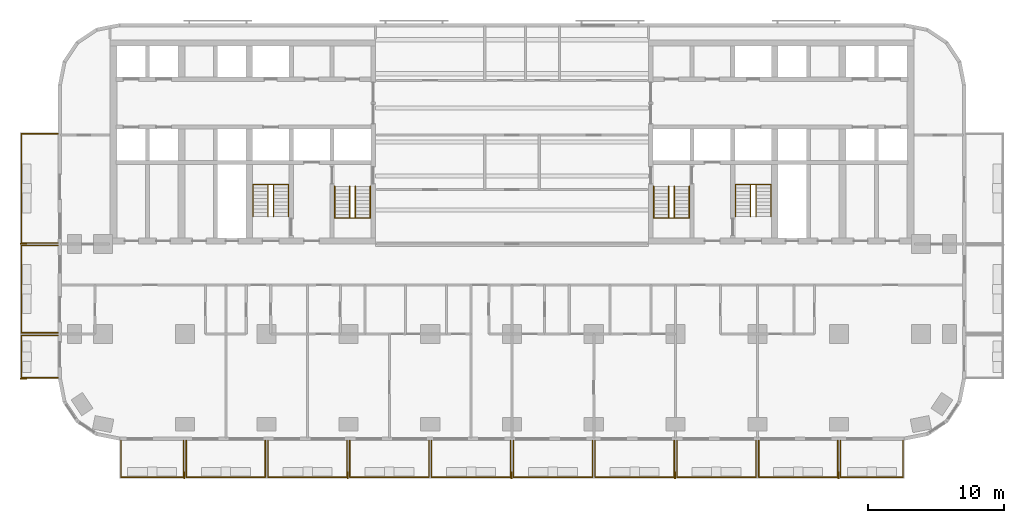
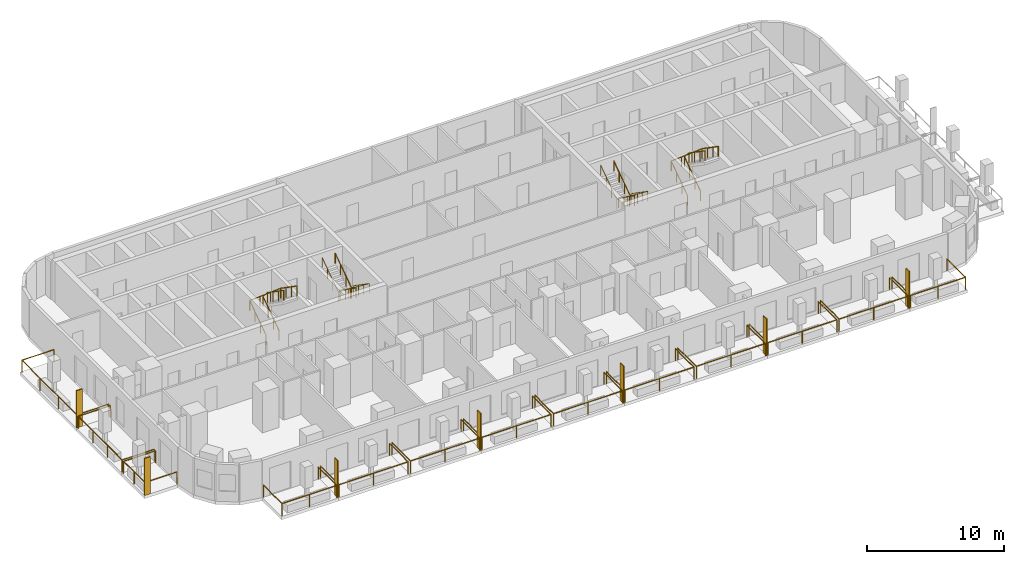
# One storey, part 12 of 14: 21 railings, 7 shading devices.
"""IFC4 building model written with IfcOpenShell, lengths in metres."""

import ifcopenshell
import ifcopenshell.guid

model = None  # the IFC model being written
_history = None  # IfcOwnerHistory: only IFC2X3 demands one
_inside = {}  # id of a spatial element -> (the spatial element, [elements in it])
_under = {}  # id of a project, library or spatial element -> (it, [spatial elements below it])
_declared = {}  # id of a project -> (the project, [libraries it declares])
_typed = {}  # id of a type object -> (the type object, [elements of that type])
_made_of = {}  # id of a material, layer set ... -> (it, [elements and type objects made of it])


def new_model(schema):
    """Start an empty IFC model of exactly this schema.

    Asked for "IFC4X3", IfcOpenShell would pick the latest addendum, in which some entities
    have other attributes; the version numbers below select the first issue.
    IFC2X3 requires an IfcOwnerHistory on every rooted entity: one is made here for all.
    """
    global model, _history
    if schema == "IFC4X3":
        model = ifcopenshell.file(schema_version=(4, 3, 0, 0))
    else:
        model = ifcopenshell.file(schema=schema)
    _inside.clear()
    _under.clear()
    _declared.clear()
    _typed.clear()
    _made_of.clear()
    _history = None
    if model.schema == "IFC2X3":
        org = make("IfcOrganization", Name="unknown")
        user = make(
            "IfcPersonAndOrganization",
            ThePerson=make("IfcPerson", FamilyName="unknown"),
            TheOrganization=org,
        )
        app = make(
            "IfcApplication",
            ApplicationDeveloper=org,
            Version="unknown",
            ApplicationFullName="unknown",
            ApplicationIdentifier="unknown",
        )
        _history = make(
            "IfcOwnerHistory",
            OwningUser=user,
            OwningApplication=app,
            ChangeAction="ADDED",
            CreationDate=0,
        )
    return model


def make(cls, **values):
    """One entity of the class cls with the attributes given. An attribute that is None is left unset."""
    return model.create_entity(
        cls, **{name: value for name, value in values.items() if value is not None}
    )


def rooted(cls, **values):
    """An entity with a GlobalId (a new one), such as an element, a storey or a relation."""
    return make(cls, GlobalId=ifcopenshell.guid.new(), OwnerHistory=_history, **values)


def si_unit(unit_type, name, prefix=None):
    """IfcSIUnit, for example si_unit("LENGTHUNIT", "METRE", prefix="MILLI")."""
    return make("IfcSIUnit", UnitType=unit_type, Prefix=prefix, Name=name)


def assignment(units):
    """IfcUnitAssignment: the units of a project."""
    return None if units is None else make("IfcUnitAssignment", Units=units)


def point(xyz):
    """IfcCartesianPoint."""
    return None if xyz is None else make("IfcCartesianPoint", Coordinates=xyz)


def direction(xyz):
    """IfcDirection."""
    return None if xyz is None else make("IfcDirection", DirectionRatios=xyz)


def frame(location, z_axis=None, x_axis=None):
    """IfcAxis2Placement3D, a coordinate frame: its origin and axes. An axis left out is left unset."""
    return make(
        "IfcAxis2Placement3D",
        Location=point(location),
        Axis=direction(z_axis),
        RefDirection=direction(x_axis),
    )


def frame_2d(location, x_axis=None):
    """IfcAxis2Placement2D, a coordinate frame in the plane: its origin and x axis."""
    return make(
        "IfcAxis2Placement2D", Location=point(location), RefDirection=direction(x_axis)
    )


def origin():
    """The frame at (0, 0, 0) with its axes left unset."""
    return frame((0.0, 0.0, 0.0))


def origin_2d():
    """The frame at (0, 0) in the plane with its x axis left unset."""
    return frame_2d((0.0, 0.0))


def place(relative_to, where):
    """IfcLocalPlacement: puts the frame where relative to a parent placement (None: the world)."""
    return make(
        "IfcLocalPlacement", PlacementRelTo=relative_to, RelativePlacement=where
    )


def context(
    kind, dimensions, precision=None, world=None, true_north=None, identifier=None
):
    """IfcGeometricRepresentationContext, for example the 3D "Model" context."""
    return make(
        "IfcGeometricRepresentationContext",
        ContextIdentifier=identifier,
        ContextType=kind,
        CoordinateSpaceDimension=dimensions,
        Precision=precision,
        WorldCoordinateSystem=world,
        TrueNorth=true_north,
    )


def subcontext(parent, identifier, kind, view, scale=None):
    """IfcGeometricRepresentationSubContext, for example "Body" below "Model"."""
    return make(
        "IfcGeometricRepresentationSubContext",
        ContextIdentifier=identifier,
        ContextType=kind,
        ParentContext=parent,
        TargetScale=scale,
        TargetView=view,
    )


def project(units=None, contexts=None):
    """IfcProject with its units and contexts."""
    return rooted(
        "IfcProject",
        Name="project",
        RepresentationContexts=contexts,
        UnitsInContext=assignment(units),
    )


def spatial(cls, under=None, at=None, **own):
    """A site, building, storey or space (cls), placed at a placement, below another one or the project."""
    s = rooted(cls, ObjectPlacement=at, **own)
    if under is not None:
        _under.setdefault(under.id(), (under, []))[1].append(s)
    return s


def profile(cls, at=None, kind="AREA", **sizes):
    """A parametric profile (cls). Its sizes go by their IFC names, for example OverallWidth=200.0."""
    return make(cls, ProfileType=kind, Position=at, **sizes)


def rectangle(**sizes):
    """IfcRectangleProfileDef."""
    return profile("IfcRectangleProfileDef", **sizes)


def circle(**sizes):
    """IfcCircleProfileDef."""
    return profile("IfcCircleProfileDef", **sizes)


def extrude(swept, where, along, depth):
    """IfcExtrudedAreaSolid: the profile swept, set in the frame where, extruded along a direction by depth."""
    return make(
        "IfcExtrudedAreaSolid",
        SweptArea=swept,
        Position=where,
        ExtrudedDirection=direction(along),
        Depth=depth,
    )


def shape(context_of_items, identifier, shape_type, items):
    """IfcShapeRepresentation: the items that make up one representation, for example the "Body"."""
    return make(
        "IfcShapeRepresentation",
        ContextOfItems=context_of_items,
        RepresentationIdentifier=identifier,
        RepresentationType=shape_type,
        Items=items,
    )


def material(Name=None, Category=None):
    """IfcMaterial."""
    return make("IfcMaterial", Name=Name, Category=Category)


def layer(
    of_material, thickness, ventilated=None, Name=None, Category=None, Priority=None
):
    """IfcMaterialLayer: one layer of a wall or slab, of a material (None: an air gap)."""
    return make(
        "IfcMaterialLayer",
        Material=of_material,
        LayerThickness=thickness,
        IsVentilated=ventilated,
        Name=Name,
        Category=Category,
        Priority=Priority,
    )


def layer_set(layers, Name=None):
    """IfcMaterialLayerSet."""
    return make("IfcMaterialLayerSet", MaterialLayers=layers, LayerSetName=Name)


def made_of(thing, what):
    """Note that an element or type object is made of a material, layer set ...; save() writes the relation."""
    if what is not None:
        _made_of.setdefault(what.id(), (what, []))[1].append(thing)
    return thing


def type_object(cls, material=None, **own):
    """A type object (cls), such as IfcWallType, which elements share."""
    return made_of(rooted(cls, **own), material)


def element(
    cls,
    number,
    at=None,
    inside=None,
    cuts=None,
    type_object=None,
    material=None,
    context=None,
    identifier="Body",
    shape_type=None,
    held_by="IfcProductDefinitionShape",
    body=None,
    shapes=None,
    **own,
):
    """One element of the class cls, such as IfcWall. Its Tag is "e" and its number.

    at: its placement. inside: the storey or other place that contains it. cuts: it is an
    opening in that element (IfcRelVoidsElement). A single representation is given by context,
    identifier, shape_type and body (its items); several are given by shapes. held_by: the class
    of the entity that holds the representations. save() writes the other relations.
    """
    e = rooted(cls, Tag="e%d" % number, ObjectPlacement=at, **own)
    if body is not None:
        shapes = [shape(context, identifier, shape_type, body)]
    if shapes is not None:
        e.Representation = make(held_by, Representations=shapes)
    if inside is not None:
        _inside.setdefault(inside.id(), (inside, []))[1].append(e)
    if cuts is not None:
        rooted(
            "IfcRelVoidsElement", RelatingBuildingElement=cuts, RelatedOpeningElement=e
        )
    if type_object is not None:
        _typed.setdefault(type_object.id(), (type_object, []))[1].append(e)
    return made_of(e, material)


def aggregate(whole, parts):
    """IfcRelAggregates: a whole, such as a stair, and the parts it consists of."""
    return rooted("IfcRelAggregates", RelatingObject=whole, RelatedObjects=parts)


def save(model, path):
    """Write the relations noted so far, then the file.

    IfcRelAggregates (storeys below a building ...), IfcRelContainedInSpatialStructure (elements
    in a storey), IfcRelDefinesByType, IfcRelAssociatesMaterial and IfcRelDeclares: one each for
    every whole, place, type object, material and project.
    """
    for whole, parts in _under.values():
        aggregate(whole, parts)
    for where, things in _inside.values():
        rooted(
            "IfcRelContainedInSpatialStructure",
            RelatedElements=things,
            RelatingStructure=where,
        )
    for kind, things in _typed.values():
        rooted("IfcRelDefinesByType", RelatedObjects=things, RelatingType=kind)
    for what, things in _made_of.values():
        rooted("IfcRelAssociatesMaterial", RelatedObjects=things, RelatingMaterial=what)
    for by, libraries in _declared.values():
        rooted("IfcRelDeclares", RelatingContext=by, RelatedDefinitions=libraries)
    model.write(path)


model = new_model("IFC4")

# Units and contexts
model_context = context("Model", 3, precision=1e-05, world=origin(), true_north=direction((0.0, 1.0)))
body_context = subcontext(model_context, "Body", "Model", "MODEL_VIEW")
ifc_project = project(units=[si_unit("LENGTHUNIT", "METRE"), si_unit("AREAUNIT", "SQUARE_METRE"), si_unit("VOLUMEUNIT", "CUBIC_METRE"), si_unit("PLANEANGLEUNIT", "RADIAN"), si_unit("MASSUNIT", "GRAM", prefix="KILO")], contexts=[model_context])

# Site, building, storey
site_placement = place(None, origin())
site = spatial("IfcSite", under=ifc_project, at=site_placement, CompositionType="ELEMENT")
building_placement = place(site_placement, origin())
building = spatial("IfcBuilding", under=site, at=building_placement, Name="Torana Hotel and Residences", CompositionType="ELEMENT")
storey_placement = place(building_placement, frame((0.0, 0.0, 103.199951171875)))
storey = spatial("IfcBuildingStorey", under=building, at=storey_placement, Name="L26", CompositionType="ELEMENT", Elevation=103.199951171875)

# Shading devices
ifc_material_1 = material(Name="Black powder coated aluminium", Category="aluminium")
ifc_layer = layer(ifc_material_1, 0.080078125)
ifc_layer_set = layer_set([ifc_layer], Name="FN1 VERTICAL FIN 500x80")
shading_device_type = type_object("IfcShadingDeviceType", Name="FN1 VERTICAL FIN 500x80", PredefinedType="USERDEFINED", material=ifc_layer_set)
for number, where, z_axis, x_axis, name in (
    (1, (-24.0400390625, -31.949951171875, 0.0), (0.0, 0.0, 1.0), (-1.0, 0.0, 0.0), "Fin 01"),
    (2, (-12.0400390625, -31.949951171875, 0.0), (0.0, 0.0, 1.0), (-1.0, 0.0, 0.0), "Fin 03"),
    (3, (-0.0400390625, -31.949951171875, 0.0), (0.0, 0.0, 1.0), (-1.0, 0.0, 0.0), "Fin 05"),
    (4, (11.9599609375, -31.949951171875, 0.0), (0.0, 0.0, 1.0), (-1.0, 0.0, 0.0), "Fin 07"),
    (5, (23.9599609375, -31.949951171875, 0.0), (0.0, 0.0, 1.0), (-1.0, 0.0, 0.0), "Fin 09"),
    (6, (-35.85009765625, -24.860107421875, 0.0), (0.0, 0.0, 1.0), (0.0, 1.0, 0.0), "Fin 11"),
    (7, (-35.85009765625, -14.9599609375, 0.0), (0.0, 0.0, 1.0), (0.0, 1.0, 0.0), "Fin 13"),
):
    element("IfcShadingDevice", number, at=place(storey_placement, frame(where, z_axis=z_axis, x_axis=x_axis)), inside=storey, type_object=shading_device_type, Name=name, ObjectType="FIN", PredefinedType="USERDEFINED", context=body_context, shape_type="SweptSolid", body=[
        extrude(rectangle(XDim=0.080078125, YDim=0.5, at=origin_2d()), origin(), (0.0, 0.0, 1.0), 3.300048828125),
    ])

# Railings
ifc_material_2 = material(Name="Laminated glass balustrade with black handrail", Category="glass")
railing_type_1 = type_object("IfcRailingType", Name="GR1 BALCONY GUARD 1100 GLASS", PredefinedType="GUARDRAIL", material=ifc_material_2)
railing_1_placement = place(storey_placement, frame((-24.10009765625, -29.39990234375, 0.0)))
element("IfcRailing", 8, at=railing_1_placement, inside=storey, type_object=railing_type_1, Name="Balcony guard 01", PredefinedType="GUARDRAIL", context=body_context, shape_type="SweptSolid", body=[
    extrude(circle(Radius=0.02392578125, at=origin_2d()), frame((0.0, 0.0, 1.076171875), z_axis=(0.0, -1.0, 0.0), x_axis=(1.0, 0.0, 0.0)), (0.0, 0.0, 1.0), 2.7001953125),
    extrude(circle(Radius=0.02392578125, at=origin_2d()), frame((0.0, -2.7001953125, 1.076171875), z_axis=(-1.0, 0.0, 0.0), x_axis=(0.0, -1.0, 0.0)), (0.0, 0.0, 1.0), 4.599853515625),
    extrude(circle(Radius=0.02392578125, at=origin_2d()), frame((-4.599853515625, -2.7001953125, 1.076171875), z_axis=(0.0, 1.0, 0.0), x_axis=(-1.0, 0.0, 0.0)), (0.0, 0.0, 1.0), 2.7001953125),
    extrude(circle(Radius=0.02099609375, at=origin_2d()), origin(), (0.0, 0.0, 1.0), 1.052001953125),
    extrude(circle(Radius=0.02099609375, at=origin_2d()), frame((0.0, -2.7001953125, 0.0)), (0.0, 0.0, 1.0), 1.052001953125),
    extrude(circle(Radius=0.02099609375, at=origin_2d()), frame((-2.2998046875, -2.7001953125, 0.0)), (0.0, 0.0, 1.0), 1.052001953125),
    extrude(circle(Radius=0.02099609375, at=origin_2d()), frame((-4.599853515625, -2.7001953125, 0.0)), (0.0, 0.0, 1.0), 1.052001953125),
    extrude(circle(Radius=0.02099609375, at=origin_2d()), frame((-4.599853515625, 0.0, 0.0)), (0.0, 0.0, 1.0), 1.052001953125),
])
for number, where, name in (
    (9, (-18.10009765625, -29.39990234375, 0.0), "Balcony guard 02"),
    (10, (-12.10009765625, -29.39990234375, 0.0), "Balcony guard 03"),
    (11, (-6.10009765625, -29.39990234375, 0.0), "Balcony guard 04"),
    (12, (-0.10009765625, -29.39990234375, 0.0), "Balcony guard 05"),
    (13, (5.89990234375, -29.39990234375, 0.0), "Balcony guard 06"),
    (14, (11.89990234375, -29.39990234375, 0.0), "Balcony guard 07"),
    (15, (17.89990234375, -29.39990234375, 0.0), "Balcony guard 08"),
    (16, (23.89990234375, -29.39990234375, 0.0), "Balcony guard 09"),
):
    element("IfcRailing", number, at=place(storey_placement, frame(where)), inside=storey, type_object=railing_type_1, Name=name, PredefinedType="GUARDRAIL", context=body_context, shape_type="SweptSolid", body=[
        extrude(circle(Radius=0.02392578125, at=origin_2d()), frame((0.0, 0.0, 1.076171875), z_axis=(0.0, -1.0, 0.0), x_axis=(1.0, 0.0, 0.0)), (0.0, 0.0, 1.0), 2.7001953125),
        extrude(circle(Radius=0.02392578125, at=origin_2d()), frame((0.0, -2.7001953125, 1.076171875), z_axis=(-1.0, 0.0, 0.0), x_axis=(0.0, -1.0, 0.0)), (0.0, 0.0, 1.0), 5.7998046875),
        extrude(circle(Radius=0.02392578125, at=origin_2d()), frame((-5.7998046875, -2.7001953125, 1.076171875), z_axis=(0.0, 1.0, 0.0), x_axis=(-1.0, 0.0, 0.0)), (0.0, 0.0, 1.0), 2.7001953125),
        extrude(circle(Radius=0.02099609375, at=origin_2d()), origin(), (0.0, 0.0, 1.0), 1.052001953125),
        extrude(circle(Radius=0.02099609375, at=origin_2d()), frame((0.0, -2.7001953125, 0.0)), (0.0, 0.0, 1.0), 1.052001953125),
        extrude(circle(Radius=0.02099609375, at=origin_2d()), frame((-2.89990234375, -2.7001953125, 0.0)), (0.0, 0.0, 1.0), 1.052001953125),
        extrude(circle(Radius=0.02099609375, at=origin_2d()), frame((-5.7998046875, -2.7001953125, 0.0)), (0.0, 0.0, 1.0), 1.052001953125),
        extrude(circle(Radius=0.02099609375, at=origin_2d()), frame((-5.7998046875, 0.0, 0.0)), (0.0, 0.0, 1.0), 1.052001953125),
    ])
railing_2_placement = place(storey_placement, frame((28.699951171875, -29.39990234375, 0.0)))
element("IfcRailing", 17, at=railing_2_placement, inside=storey, type_object=railing_type_1, Name="Balcony guard 10", PredefinedType="GUARDRAIL", context=body_context, shape_type="SweptSolid", body=[
    extrude(circle(Radius=0.02392578125, at=origin_2d()), frame((0.0, 0.0, 1.076171875), z_axis=(0.0, -1.0, 0.0), x_axis=(1.0, 0.0, 0.0)), (0.0, 0.0, 1.0), 2.7001953125),
    extrude(circle(Radius=0.02392578125, at=origin_2d()), frame((0.0, -2.7001953125, 1.076171875), z_axis=(-1.0, 0.0, 0.0), x_axis=(0.0, -1.0, 0.0)), (0.0, 0.0, 1.0), 4.599853515625),
    extrude(circle(Radius=0.02392578125, at=origin_2d()), frame((-4.599853515625, -2.7001953125, 1.076171875), z_axis=(0.0, 1.0, 0.0), x_axis=(-1.0, 0.0, 0.0)), (0.0, 0.0, 1.0), 2.7001953125),
    extrude(circle(Radius=0.02099609375, at=origin_2d()), origin(), (0.0, 0.0, 1.0), 1.052001953125),
    extrude(circle(Radius=0.02099609375, at=origin_2d()), frame((0.0, -2.7001953125, 0.0)), (0.0, 0.0, 1.0), 1.052001953125),
    extrude(circle(Radius=0.02099609375, at=origin_2d()), frame((-2.2998046875, -2.7001953125, 0.0)), (0.0, 0.0, 1.0), 1.052001953125),
    extrude(circle(Radius=0.02099609375, at=origin_2d()), frame((-4.599853515625, -2.7001953125, 0.0)), (0.0, 0.0, 1.0), 1.052001953125),
    extrude(circle(Radius=0.02099609375, at=origin_2d()), frame((-4.599853515625, 0.0, 0.0)), (0.0, 0.0, 1.0), 1.052001953125),
])
railing_3_placement = place(storey_placement, frame((-33.300048828125, -24.800048828125, 0.0)))
element("IfcRailing", 18, at=railing_3_placement, inside=storey, type_object=railing_type_1, Name="Balcony guard 11", PredefinedType="GUARDRAIL", context=body_context, shape_type="SweptSolid", body=[
    extrude(circle(Radius=0.02392578125, at=origin_2d()), frame((0.0, 0.0, 1.076171875), z_axis=(-1.0, 0.0, 0.0), x_axis=(0.0, -1.0, 0.0)), (0.0, 0.0, 1.0), 2.699951171875),
    extrude(circle(Radius=0.02392578125, at=origin_2d()), frame((-2.699951171875, 0.0, 1.076171875), z_axis=(0.0, 1.0, 0.0), x_axis=(-1.0, 0.0, 0.0)), (0.0, 0.0, 1.0), 3.10009765625),
    extrude(circle(Radius=0.02392578125, at=origin_2d()), frame((-2.699951171875, 3.10009765625, 1.076171875), z_axis=(1.0, 0.0, 0.0), x_axis=(0.0, 1.0, 0.0)), (0.0, 0.0, 1.0), 2.699951171875),
    extrude(circle(Radius=0.02099609375, at=origin_2d()), origin(), (0.0, 0.0, 1.0), 1.052001953125),
    extrude(circle(Radius=0.02099609375, at=origin_2d()), frame((-2.699951171875, 0.0, 0.0)), (0.0, 0.0, 1.0), 1.052001953125),
    extrude(circle(Radius=0.02099609375, at=origin_2d()), frame((-2.699951171875, 1.550048828125, 0.0)), (0.0, 0.0, 1.0), 1.052001953125),
    extrude(circle(Radius=0.02099609375, at=origin_2d()), frame((-2.699951171875, 3.10009765625, 0.0)), (0.0, 0.0, 1.0), 1.052001953125),
    extrude(circle(Radius=0.02099609375, at=origin_2d()), frame((0.0, 3.10009765625, 0.0)), (0.0, 0.0, 1.0), 1.052001953125),
])
railing_4_placement = place(storey_placement, frame((-33.300048828125, -21.5, 0.0)))
element("IfcRailing", 19, at=railing_4_placement, inside=storey, type_object=railing_type_1, Name="Balcony guard 12", PredefinedType="GUARDRAIL", context=body_context, shape_type="SweptSolid", body=[
    extrude(circle(Radius=0.02392578125, at=origin_2d()), frame((0.0, 0.0, 1.076171875), z_axis=(-1.0, 0.0, 0.0), x_axis=(0.0, -1.0, 0.0)), (0.0, 0.0, 1.0), 2.699951171875),
    extrude(circle(Radius=0.02392578125, at=origin_2d()), frame((-2.699951171875, 0.0, 1.076171875), z_axis=(0.0, 1.0, 0.0), x_axis=(-1.0, 0.0, 0.0)), (0.0, 0.0, 1.0), 6.39990234375),
    extrude(circle(Radius=0.02392578125, at=origin_2d()), frame((-2.699951171875, 6.39990234375, 1.076171875), z_axis=(1.0, 0.0, 0.0), x_axis=(0.0, 1.0, 0.0)), (0.0, 0.0, 1.0), 2.699951171875),
    extrude(circle(Radius=0.02099609375, at=origin_2d()), origin(), (0.0, 0.0, 1.0), 1.052001953125),
    extrude(circle(Radius=0.02099609375, at=origin_2d()), frame((-2.699951171875, 0.0, 0.0)), (0.0, 0.0, 1.0), 1.052001953125),
    extrude(circle(Radius=0.02099609375, at=origin_2d()), frame((-2.699951171875, 2.13330078125, 0.0)), (0.0, 0.0, 1.0), 1.052001953125),
    extrude(circle(Radius=0.02099609375, at=origin_2d()), frame((-2.699951171875, 4.2666015625, 0.0)), (0.0, 0.0, 1.0), 1.052001953125),
    extrude(circle(Radius=0.02099609375, at=origin_2d()), frame((-2.699951171875, 6.39990234375, 0.0)), (0.0, 0.0, 1.0), 1.052001953125),
    extrude(circle(Radius=0.02099609375, at=origin_2d()), frame((0.0, 6.39990234375, 0.0)), (0.0, 0.0, 1.0), 1.052001953125),
])
railing_5_placement = place(storey_placement, frame((-33.300048828125, -14.89990234375, 0.0)))
element("IfcRailing", 20, at=railing_5_placement, inside=storey, type_object=railing_type_1, Name="Balcony guard 13", PredefinedType="GUARDRAIL", context=body_context, shape_type="SweptSolid", body=[
    extrude(circle(Radius=0.02392578125, at=origin_2d()), frame((0.0, 0.0, 1.076171875), z_axis=(-1.0, 0.0, 0.0), x_axis=(0.0, -1.0, 0.0)), (0.0, 0.0, 1.0), 2.699951171875),
    extrude(circle(Radius=0.02392578125, at=origin_2d()), frame((-2.699951171875, 0.0, 1.076171875), z_axis=(0.0, 1.0, 0.0), x_axis=(-1.0, 0.0, 0.0)), (0.0, 0.0, 1.0), 8.0),
    extrude(circle(Radius=0.02392578125, at=origin_2d()), frame((-2.699951171875, 8.0, 1.076171875), z_axis=(1.0, 0.0, 0.0), x_axis=(0.0, 1.0, 0.0)), (0.0, 0.0, 1.0), 2.699951171875),
    extrude(circle(Radius=0.02099609375, at=origin_2d()), origin(), (0.0, 0.0, 1.0), 1.052001953125),
    extrude(circle(Radius=0.02099609375, at=origin_2d()), frame((-2.699951171875, 0.0, 0.0)), (0.0, 0.0, 1.0), 1.052001953125),
    extrude(circle(Radius=0.02099609375, at=origin_2d()), frame((-2.699951171875, 2.666748046875, 0.0)), (0.0, 0.0, 1.0), 1.052001953125),
    extrude(circle(Radius=0.02099609375, at=origin_2d()), frame((-2.699951171875, 5.333251953125, 0.0)), (0.0, 0.0, 1.0), 1.052001953125),
    extrude(circle(Radius=0.02099609375, at=origin_2d()), frame((-2.699951171875, 8.0, 0.0)), (0.0, 0.0, 1.0), 1.052001953125),
    extrude(circle(Radius=0.02099609375, at=origin_2d()), frame((0.0, 8.0, 0.0)), (0.0, 0.0, 1.0), 1.052001953125),
])
ifc_material_3 = material(Name="Stainless steel 316", Category="steel")
railing_type_2 = type_object("IfcRailingType", Name="STAIR HANDRAIL HR1 900", PredefinedType="HANDRAIL", material=ifc_material_3)
railing_6_placement = place(storey_placement, frame((-10.39990234375, -10.75, 0.179931640625)))
element("IfcRailing", 21, at=railing_6_placement, inside=storey, type_object=railing_type_2, Name="Handrail ST1 L26 O1", PredefinedType="HANDRAIL", context=body_context, shape_type="SweptSolid", body=[
    extrude(circle(Radius=0.02392578125, at=origin_2d()), frame((0.0, 0.0, 0.8759765625), z_axis=(0.0, -0.822182927502, 0.569223360136), x_axis=(1.0, 0.0, 0.0)), (0.0, 0.0, 1.0), 2.84619140625),
    extrude(circle(Radius=0.02392578125, at=origin_2d()), frame((0.0, -2.340087890625, 2.49609375), z_axis=(-0.997614115953, 0.0, 0.069036770278), x_axis=(0.0, -1.0, 0.0)), (0.0, 0.0, 1.0), 2.606201171875),
    extrude(circle(Radius=0.02392578125, at=origin_2d()), frame((-2.60009765625, -2.340087890625, 2.67578125), z_axis=(0.0, 0.822182927502, 0.569223360136), x_axis=(-1.0, 0.0, 0.0)), (0.0, 0.0, 1.0), 2.84619140625),
    extrude(circle(Radius=0.02099609375, at=origin_2d()), origin(), (0.0, 0.0, 1.0), 0.851806640625),
    extrude(circle(Radius=0.02099609375, at=origin_2d()), frame((0.0, -0.780029296875, 0.5400390625)), (0.0, 0.0, 1.0), 0.851806640625),
    extrude(circle(Radius=0.02099609375, at=origin_2d()), frame((0.0, -1.56005859375, 1.080078125)), (0.0, 0.0, 1.0), 0.851806640625),
    extrude(circle(Radius=0.02099609375, at=origin_2d()), frame((0.0, -2.340087890625, 1.6201171875)), (0.0, 0.0, 1.0), 0.851806640625),
    extrude(circle(Radius=0.02099609375, at=origin_2d()), frame((-0.86669921875, -2.340087890625, 1.68017578125)), (0.0, 0.0, 1.0), 0.851806640625),
    extrude(circle(Radius=0.02099609375, at=origin_2d()), frame((-1.7333984375, -2.340087890625, 1.739990234375)), (0.0, 0.0, 1.0), 0.851806640625),
    extrude(circle(Radius=0.02099609375, at=origin_2d()), frame((-2.60009765625, -2.340087890625, 1.800048828125)), (0.0, 0.0, 1.0), 0.851806640625),
    extrude(circle(Radius=0.02099609375, at=origin_2d()), frame((-2.60009765625, -1.56005859375, 2.340087890625)), (0.0, 0.0, 1.0), 0.851806640625),
    extrude(circle(Radius=0.02099609375, at=origin_2d()), frame((-2.60009765625, -0.780029296875, 2.880126953125)), (0.0, 0.0, 1.0), 0.851806640625),
    extrude(circle(Radius=0.02099609375, at=origin_2d()), frame((-2.60009765625, 0.0, 3.420166015625)), (0.0, 0.0, 1.0), 0.851806640625),
])
railing_7_placement = place(storey_placement, frame((-11.5, -10.75, 0.179931640625)))
element("IfcRailing", 22, at=railing_7_placement, inside=storey, type_object=railing_type_2, Name="Handrail ST1 L26 I1", PredefinedType="HANDRAIL", context=body_context, shape_type="SweptSolid", body=[
    extrude(circle(Radius=0.02392578125, at=origin_2d()), frame((0.0, 0.0, 0.8759765625), z_axis=(0.0, -0.822182927502, 0.569223360136), x_axis=(1.0, 0.0, 0.0)), (0.0, 0.0, 1.0), 2.84619140625),
    extrude(circle(Radius=0.02392578125, at=origin_2d()), frame((0.0, -2.340087890625, 2.49609375), z_axis=(-0.911942338396, 0.0, 0.410318378143), x_axis=(0.0, -1.0, 0.0)), (0.0, 0.0, 1.0), 0.4384765625),
    extrude(circle(Radius=0.02392578125, at=origin_2d()), frame((-0.39990234375, -2.340087890625, 2.67578125), z_axis=(0.0, 0.822182927502, 0.569223360136), x_axis=(-1.0, 0.0, 0.0)), (0.0, 0.0, 1.0), 2.84619140625),
    extrude(circle(Radius=0.02099609375, at=origin_2d()), origin(), (0.0, 0.0, 1.0), 0.851806640625),
    extrude(circle(Radius=0.02099609375, at=origin_2d()), frame((0.0, -0.780029296875, 0.5400390625)), (0.0, 0.0, 1.0), 0.851806640625),
    extrude(circle(Radius=0.02099609375, at=origin_2d()), frame((0.0, -1.56005859375, 1.080078125)), (0.0, 0.0, 1.0), 0.851806640625),
    extrude(circle(Radius=0.02099609375, at=origin_2d()), frame((0.0, -2.340087890625, 1.6201171875)), (0.0, 0.0, 1.0), 0.851806640625),
    extrude(circle(Radius=0.02099609375, at=origin_2d()), frame((-0.39990234375, -2.340087890625, 1.800048828125)), (0.0, 0.0, 1.0), 0.851806640625),
    extrude(circle(Radius=0.02099609375, at=origin_2d()), frame((-0.39990234375, -1.56005859375, 2.340087890625)), (0.0, 0.0, 1.0), 0.851806640625),
    extrude(circle(Radius=0.02099609375, at=origin_2d()), frame((-0.39990234375, -0.780029296875, 2.880126953125)), (0.0, 0.0, 1.0), 0.851806640625),
    extrude(circle(Radius=0.02099609375, at=origin_2d()), frame((-0.39990234375, 0.0, 3.420166015625)), (0.0, 0.0, 1.0), 0.851806640625),
])
railing_8_placement = place(storey_placement, frame((-19.0, -12.949951171875, 0.179931640625)))
element("IfcRailing", 23, at=railing_8_placement, inside=storey, type_object=railing_type_2, Name="Handrail ST2 L26 O1", PredefinedType="HANDRAIL", context=body_context, shape_type="SweptSolid", body=[
    extrude(circle(Radius=0.02392578125, at=origin_2d()), frame((0.0, 0.0, 0.8759765625), z_axis=(0.0, 0.822155131156, 0.569263506923), x_axis=(-1.0, 0.0, 0.0)), (0.0, 0.0, 1.0), 2.845947265625),
    extrude(circle(Radius=0.02392578125, at=origin_2d()), frame((0.0, 2.33984375, 2.49609375), z_axis=(0.997614115953, 0.0, 0.069036770278), x_axis=(0.0, 1.0, 0.0)), (0.0, 0.0, 1.0), 2.606201171875),
    extrude(circle(Radius=0.02392578125, at=origin_2d()), frame((2.60009765625, 2.33984375, 2.67578125), z_axis=(0.0, -0.822155131156, 0.569263506923), x_axis=(1.0, 0.0, 0.0)), (0.0, 0.0, 1.0), 2.845947265625),
    extrude(circle(Radius=0.02099609375, at=origin_2d()), origin(), (0.0, 0.0, 1.0), 0.851806640625),
    extrude(circle(Radius=0.02099609375, at=origin_2d()), frame((0.0, 0.780029296875, 0.5400390625)), (0.0, 0.0, 1.0), 0.851806640625),
    extrude(circle(Radius=0.02099609375, at=origin_2d()), frame((0.0, 1.559814453125, 1.080078125)), (0.0, 0.0, 1.0), 0.851806640625),
    extrude(circle(Radius=0.02099609375, at=origin_2d()), frame((0.0, 2.33984375, 1.6201171875)), (0.0, 0.0, 1.0), 0.851806640625),
    extrude(circle(Radius=0.02099609375, at=origin_2d()), frame((0.86669921875, 2.33984375, 1.68017578125)), (0.0, 0.0, 1.0), 0.851806640625),
    extrude(circle(Radius=0.02099609375, at=origin_2d()), frame((1.7333984375, 2.33984375, 1.739990234375)), (0.0, 0.0, 1.0), 0.851806640625),
    extrude(circle(Radius=0.02099609375, at=origin_2d()), frame((2.60009765625, 2.33984375, 1.800048828125)), (0.0, 0.0, 1.0), 0.851806640625),
    extrude(circle(Radius=0.02099609375, at=origin_2d()), frame((2.60009765625, 1.559814453125, 2.340087890625)), (0.0, 0.0, 1.0), 0.851806640625),
    extrude(circle(Radius=0.02099609375, at=origin_2d()), frame((2.60009765625, 0.780029296875, 2.880126953125)), (0.0, 0.0, 1.0), 0.851806640625),
    extrude(circle(Radius=0.02099609375, at=origin_2d()), frame((2.60009765625, 0.0, 3.420166015625)), (0.0, 0.0, 1.0), 0.851806640625),
])
railing_9_placement = place(storey_placement, frame((-17.89990234375, -12.949951171875, 0.179931640625)))
element("IfcRailing", 24, at=railing_9_placement, inside=storey, type_object=railing_type_2, Name="Handrail ST2 L26 I1", PredefinedType="HANDRAIL", context=body_context, shape_type="SweptSolid", body=[
    extrude(circle(Radius=0.02392578125, at=origin_2d()), frame((0.0, 0.0, 0.8759765625), z_axis=(0.0, 0.822155131156, 0.569263506923), x_axis=(-1.0, 0.0, 0.0)), (0.0, 0.0, 1.0), 2.845947265625),
    extrude(circle(Radius=0.02392578125, at=origin_2d()), frame((0.0, 2.33984375, 2.49609375), z_axis=(0.911942338396, 0.0, 0.410318378143), x_axis=(0.0, 1.0, 0.0)), (0.0, 0.0, 1.0), 0.4384765625),
    extrude(circle(Radius=0.02392578125, at=origin_2d()), frame((0.39990234375, 2.33984375, 2.67578125), z_axis=(0.0, -0.822155131156, 0.569263506923), x_axis=(1.0, 0.0, 0.0)), (0.0, 0.0, 1.0), 2.845947265625),
    extrude(circle(Radius=0.02099609375, at=origin_2d()), origin(), (0.0, 0.0, 1.0), 0.851806640625),
    extrude(circle(Radius=0.02099609375, at=origin_2d()), frame((0.0, 0.780029296875, 0.5400390625)), (0.0, 0.0, 1.0), 0.851806640625),
    extrude(circle(Radius=0.02099609375, at=origin_2d()), frame((0.0, 1.559814453125, 1.080078125)), (0.0, 0.0, 1.0), 0.851806640625),
    extrude(circle(Radius=0.02099609375, at=origin_2d()), frame((0.0, 2.33984375, 1.6201171875)), (0.0, 0.0, 1.0), 0.851806640625),
    extrude(circle(Radius=0.02099609375, at=origin_2d()), frame((0.39990234375, 2.33984375, 1.800048828125)), (0.0, 0.0, 1.0), 0.851806640625),
    extrude(circle(Radius=0.02099609375, at=origin_2d()), frame((0.39990234375, 1.559814453125, 2.340087890625)), (0.0, 0.0, 1.0), 0.851806640625),
    extrude(circle(Radius=0.02099609375, at=origin_2d()), frame((0.39990234375, 0.780029296875, 2.880126953125)), (0.0, 0.0, 1.0), 0.851806640625),
    extrude(circle(Radius=0.02099609375, at=origin_2d()), frame((0.39990234375, 0.0, 3.420166015625)), (0.0, 0.0, 1.0), 0.851806640625),
])
railing_10_placement = place(storey_placement, frame((13.0, -10.75, 0.179931640625)))
element("IfcRailing", 25, at=railing_10_placement, inside=storey, type_object=railing_type_2, Name="Handrail ST3 L26 O1", PredefinedType="HANDRAIL", context=body_context, shape_type="SweptSolid", body=[
    extrude(circle(Radius=0.02392578125, at=origin_2d()), frame((0.0, 0.0, 0.8759765625), z_axis=(0.0, -0.822182927502, 0.569223360136), x_axis=(1.0, 0.0, 0.0)), (0.0, 0.0, 1.0), 2.84619140625),
    extrude(circle(Radius=0.02392578125, at=origin_2d()), frame((0.0, -2.340087890625, 2.49609375), z_axis=(-0.997614115953, 0.0, 0.069036770278), x_axis=(0.0, -1.0, 0.0)), (0.0, 0.0, 1.0), 2.606201171875),
    extrude(circle(Radius=0.02392578125, at=origin_2d()), frame((-2.60009765625, -2.340087890625, 2.67578125), z_axis=(0.0, 0.822182927502, 0.569223360136), x_axis=(-1.0, 0.0, 0.0)), (0.0, 0.0, 1.0), 2.84619140625),
    extrude(circle(Radius=0.02099609375, at=origin_2d()), origin(), (0.0, 0.0, 1.0), 0.851806640625),
    extrude(circle(Radius=0.02099609375, at=origin_2d()), frame((0.0, -0.780029296875, 0.5400390625)), (0.0, 0.0, 1.0), 0.851806640625),
    extrude(circle(Radius=0.02099609375, at=origin_2d()), frame((0.0, -1.56005859375, 1.080078125)), (0.0, 0.0, 1.0), 0.851806640625),
    extrude(circle(Radius=0.02099609375, at=origin_2d()), frame((0.0, -2.340087890625, 1.6201171875)), (0.0, 0.0, 1.0), 0.851806640625),
    extrude(circle(Radius=0.02099609375, at=origin_2d()), frame((-0.86669921875, -2.340087890625, 1.68017578125)), (0.0, 0.0, 1.0), 0.851806640625),
    extrude(circle(Radius=0.02099609375, at=origin_2d()), frame((-1.7333984375, -2.340087890625, 1.739990234375)), (0.0, 0.0, 1.0), 0.851806640625),
    extrude(circle(Radius=0.02099609375, at=origin_2d()), frame((-2.60009765625, -2.340087890625, 1.800048828125)), (0.0, 0.0, 1.0), 0.851806640625),
    extrude(circle(Radius=0.02099609375, at=origin_2d()), frame((-2.60009765625, -1.56005859375, 2.340087890625)), (0.0, 0.0, 1.0), 0.851806640625),
    extrude(circle(Radius=0.02099609375, at=origin_2d()), frame((-2.60009765625, -0.780029296875, 2.880126953125)), (0.0, 0.0, 1.0), 0.851806640625),
    extrude(circle(Radius=0.02099609375, at=origin_2d()), frame((-2.60009765625, 0.0, 3.420166015625)), (0.0, 0.0, 1.0), 0.851806640625),
])
railing_11_placement = place(storey_placement, frame((11.89990234375, -10.75, 0.179931640625)))
element("IfcRailing", 26, at=railing_11_placement, inside=storey, type_object=railing_type_2, Name="Handrail ST3 L26 I1", PredefinedType="HANDRAIL", context=body_context, shape_type="SweptSolid", body=[
    extrude(circle(Radius=0.02392578125, at=origin_2d()), frame((0.0, 0.0, 0.8759765625), z_axis=(0.0, -0.822182927502, 0.569223360136), x_axis=(1.0, 0.0, 0.0)), (0.0, 0.0, 1.0), 2.84619140625),
    extrude(circle(Radius=0.02392578125, at=origin_2d()), frame((0.0, -2.340087890625, 2.49609375), z_axis=(-0.911942338396, 0.0, 0.410318378143), x_axis=(0.0, -1.0, 0.0)), (0.0, 0.0, 1.0), 0.4384765625),
    extrude(circle(Radius=0.02392578125, at=origin_2d()), frame((-0.39990234375, -2.340087890625, 2.67578125), z_axis=(0.0, 0.822182927502, 0.569223360136), x_axis=(-1.0, 0.0, 0.0)), (0.0, 0.0, 1.0), 2.84619140625),
    extrude(circle(Radius=0.02099609375, at=origin_2d()), origin(), (0.0, 0.0, 1.0), 0.851806640625),
    extrude(circle(Radius=0.02099609375, at=origin_2d()), frame((0.0, -0.780029296875, 0.5400390625)), (0.0, 0.0, 1.0), 0.851806640625),
    extrude(circle(Radius=0.02099609375, at=origin_2d()), frame((0.0, -1.56005859375, 1.080078125)), (0.0, 0.0, 1.0), 0.851806640625),
    extrude(circle(Radius=0.02099609375, at=origin_2d()), frame((0.0, -2.340087890625, 1.6201171875)), (0.0, 0.0, 1.0), 0.851806640625),
    extrude(circle(Radius=0.02099609375, at=origin_2d()), frame((-0.39990234375, -2.340087890625, 1.800048828125)), (0.0, 0.0, 1.0), 0.851806640625),
    extrude(circle(Radius=0.02099609375, at=origin_2d()), frame((-0.39990234375, -1.56005859375, 2.340087890625)), (0.0, 0.0, 1.0), 0.851806640625),
    extrude(circle(Radius=0.02099609375, at=origin_2d()), frame((-0.39990234375, -0.780029296875, 2.880126953125)), (0.0, 0.0, 1.0), 0.851806640625),
    extrude(circle(Radius=0.02099609375, at=origin_2d()), frame((-0.39990234375, 0.0, 3.420166015625)), (0.0, 0.0, 1.0), 0.851806640625),
])
railing_12_placement = place(storey_placement, frame((16.39990234375, -12.949951171875, 0.179931640625)))
element("IfcRailing", 27, at=railing_12_placement, inside=storey, type_object=railing_type_2, Name="Handrail ST4 L26 O1", PredefinedType="HANDRAIL", context=body_context, shape_type="SweptSolid", body=[
    extrude(circle(Radius=0.02392578125, at=origin_2d()), frame((0.0, 0.0, 0.8759765625), z_axis=(0.0, 0.822155131156, 0.569263506923), x_axis=(-1.0, 0.0, 0.0)), (0.0, 0.0, 1.0), 2.845947265625),
    extrude(circle(Radius=0.02392578125, at=origin_2d()), frame((0.0, 2.33984375, 2.49609375), z_axis=(0.997614115953, 0.0, 0.069036770278), x_axis=(0.0, 1.0, 0.0)), (0.0, 0.0, 1.0), 2.606201171875),
    extrude(circle(Radius=0.02392578125, at=origin_2d()), frame((2.60009765625, 2.33984375, 2.67578125), z_axis=(0.0, -0.822155131156, 0.569263506923), x_axis=(1.0, 0.0, 0.0)), (0.0, 0.0, 1.0), 2.845947265625),
    extrude(circle(Radius=0.02099609375, at=origin_2d()), origin(), (0.0, 0.0, 1.0), 0.851806640625),
    extrude(circle(Radius=0.02099609375, at=origin_2d()), frame((0.0, 0.780029296875, 0.5400390625)), (0.0, 0.0, 1.0), 0.851806640625),
    extrude(circle(Radius=0.02099609375, at=origin_2d()), frame((0.0, 1.559814453125, 1.080078125)), (0.0, 0.0, 1.0), 0.851806640625),
    extrude(circle(Radius=0.02099609375, at=origin_2d()), frame((0.0, 2.33984375, 1.6201171875)), (0.0, 0.0, 1.0), 0.851806640625),
    extrude(circle(Radius=0.02099609375, at=origin_2d()), frame((0.86669921875, 2.33984375, 1.68017578125)), (0.0, 0.0, 1.0), 0.851806640625),
    extrude(circle(Radius=0.02099609375, at=origin_2d()), frame((1.7333984375, 2.33984375, 1.739990234375)), (0.0, 0.0, 1.0), 0.851806640625),
    extrude(circle(Radius=0.02099609375, at=origin_2d()), frame((2.60009765625, 2.33984375, 1.800048828125)), (0.0, 0.0, 1.0), 0.851806640625),
    extrude(circle(Radius=0.02099609375, at=origin_2d()), frame((2.60009765625, 1.559814453125, 2.340087890625)), (0.0, 0.0, 1.0), 0.851806640625),
    extrude(circle(Radius=0.02099609375, at=origin_2d()), frame((2.60009765625, 0.780029296875, 2.880126953125)), (0.0, 0.0, 1.0), 0.851806640625),
    extrude(circle(Radius=0.02099609375, at=origin_2d()), frame((2.60009765625, 0.0, 3.420166015625)), (0.0, 0.0, 1.0), 0.851806640625),
])
railing_13_placement = place(storey_placement, frame((17.5, -12.949951171875, 0.179931640625)))
element("IfcRailing", 28, at=railing_13_placement, inside=storey, type_object=railing_type_2, Name="Handrail ST4 L26 I1", PredefinedType="HANDRAIL", context=body_context, shape_type="SweptSolid", body=[
    extrude(circle(Radius=0.02392578125, at=origin_2d()), frame((0.0, 0.0, 0.8759765625), z_axis=(0.0, 0.822155131156, 0.569263506923), x_axis=(-1.0, 0.0, 0.0)), (0.0, 0.0, 1.0), 2.845947265625),
    extrude(circle(Radius=0.02392578125, at=origin_2d()), frame((0.0, 2.33984375, 2.49609375), z_axis=(0.911942338396, 0.0, 0.410318378143), x_axis=(0.0, 1.0, 0.0)), (0.0, 0.0, 1.0), 0.4384765625),
    extrude(circle(Radius=0.02392578125, at=origin_2d()), frame((0.39990234375, 2.33984375, 2.67578125), z_axis=(0.0, -0.822155131156, 0.569263506923), x_axis=(1.0, 0.0, 0.0)), (0.0, 0.0, 1.0), 2.845947265625),
    extrude(circle(Radius=0.02099609375, at=origin_2d()), origin(), (0.0, 0.0, 1.0), 0.851806640625),
    extrude(circle(Radius=0.02099609375, at=origin_2d()), frame((0.0, 0.780029296875, 0.5400390625)), (0.0, 0.0, 1.0), 0.851806640625),
    extrude(circle(Radius=0.02099609375, at=origin_2d()), frame((0.0, 1.559814453125, 1.080078125)), (0.0, 0.0, 1.0), 0.851806640625),
    extrude(circle(Radius=0.02099609375, at=origin_2d()), frame((0.0, 2.33984375, 1.6201171875)), (0.0, 0.0, 1.0), 0.851806640625),
    extrude(circle(Radius=0.02099609375, at=origin_2d()), frame((0.39990234375, 2.33984375, 1.800048828125)), (0.0, 0.0, 1.0), 0.851806640625),
    extrude(circle(Radius=0.02099609375, at=origin_2d()), frame((0.39990234375, 1.559814453125, 2.340087890625)), (0.0, 0.0, 1.0), 0.851806640625),
    extrude(circle(Radius=0.02099609375, at=origin_2d()), frame((0.39990234375, 0.780029296875, 2.880126953125)), (0.0, 0.0, 1.0), 0.851806640625),
    extrude(circle(Radius=0.02099609375, at=origin_2d()), frame((0.39990234375, 0.0, 3.420166015625)), (0.0, 0.0, 1.0), 0.851806640625),
])

save(model, "model.ifc")
